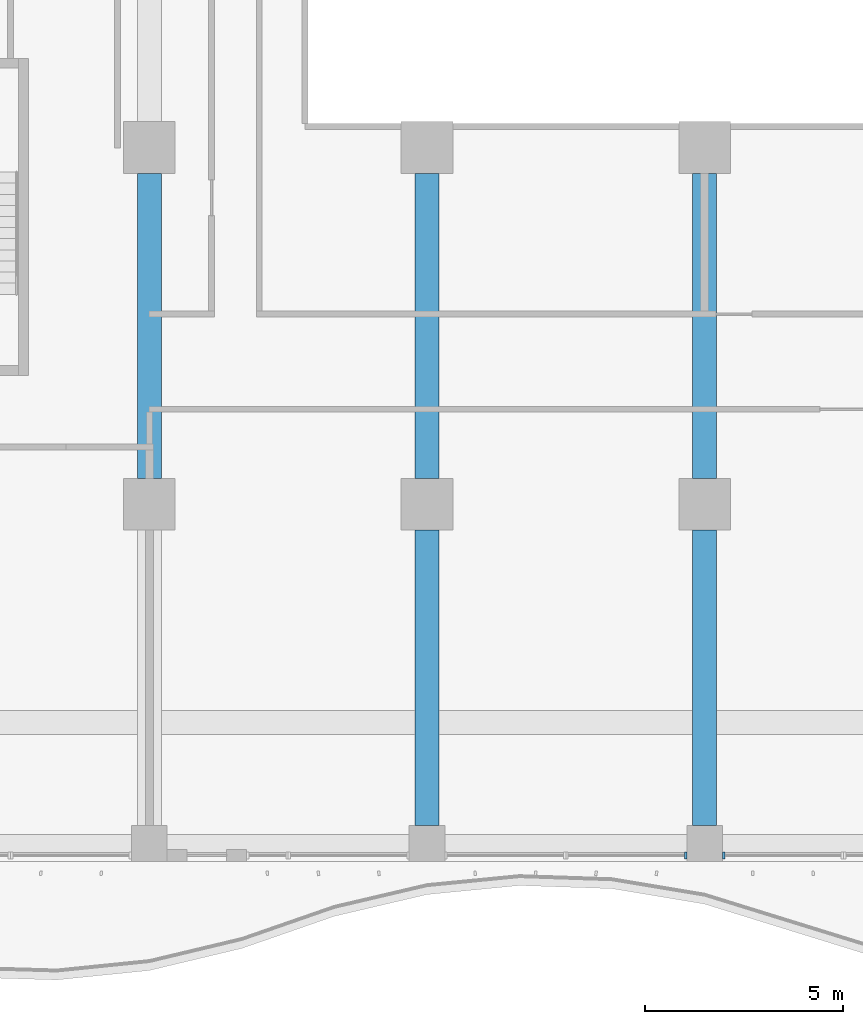
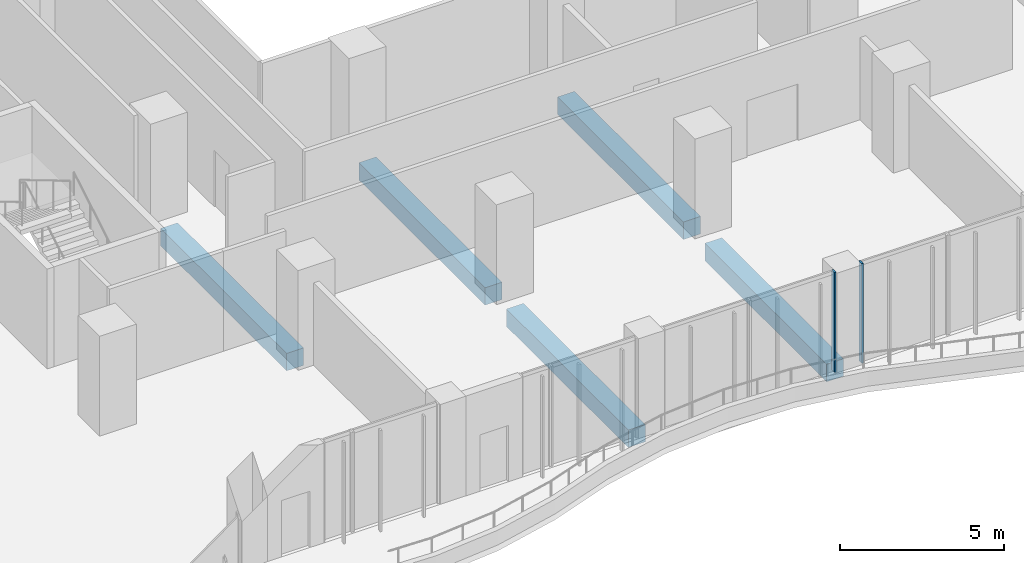
# One storey, part 4 of 27: 5 beams, 2 members, 2 elements without a shape of their own.
"""IFC4 building model written with IfcOpenShell, lengths in metres."""

from ifc_helpers import new_model, si_unit, direction, frame, origin, origin_2d, place, context, subcontext, project, spatial, rectangle, extrude, source, transform, mapped, material, material_profile, profile_set, type_object, element, aggregate, save


model = new_model("IFC4")

# Units and contexts
model_context = context("Model", 3, precision=1e-05, world=origin(), true_north=direction((0.0, 1.0)))
body_context = subcontext(model_context, "Body", "Model", "MODEL_VIEW")
ifc_project = project(units=[si_unit("LENGTHUNIT", "METRE"), si_unit("AREAUNIT", "SQUARE_METRE"), si_unit("VOLUMEUNIT", "CUBIC_METRE"), si_unit("PLANEANGLEUNIT", "RADIAN"), si_unit("MASSUNIT", "GRAM", prefix="KILO")], contexts=[model_context])

# Site, building, storey
site_placement = place(None, origin())
site = spatial("IfcSite", under=ifc_project, at=site_placement, CompositionType="ELEMENT")
building_placement = place(site_placement, origin())
building = spatial("IfcBuilding", under=site, at=building_placement, Name="Kilnfold Tower and Market Hall", CompositionType="ELEMENT")
storey_placement = place(building_placement, frame((0.0, 0.0, 43.0)))
storey = spatial("IfcBuildingStorey", under=building, at=storey_placement, Name="L09", CompositionType="ELEMENT", Elevation=43.0)

# Beams
ifc_material_1 = material(Name="Concrete C45", Category="concrete")
ifc_material_profile_1 = material_profile(ifc_material_1, rectangle(XDim=0.60009765625, YDim=0.64990234375, at=origin_2d()), Name="RC 600x650")
ifc_profile_set_1 = profile_set([ifc_material_profile_1], Name="Concrete C45")
beam_type = type_object("IfcBeamType", Name="BEAM 600X650 C45", PredefinedType="BEAM", material=ifc_profile_set_1)
shared_shape_1 = source(origin(), body_context, "Body", "SweptSolid", [
    extrude(rectangle(XDim=0.60009765625, YDim=0.64990234375, at=origin_2d()), origin(), (0.0, 0.0, 1.0), 7.4501953125),
])
for number, where, z_axis, x_axis, name in (
    (1, (-3.5, -27.10009765625, -0.60498046875), (0.0, 1.0, 0.0), (-1.0, 0.0, 0.0), "Beam BB650-B1.43"),
    (2, (3.5, -27.10009765625, -0.60498046875), (0.0, 1.0, 0.0), (-1.0, 0.0, 0.0), "Beam BB650-B1.45"),
):
    element("IfcBeam", number, at=place(storey_placement, frame(where, z_axis=z_axis, x_axis=x_axis)), inside=storey, type_object=beam_type, Name=name, PredefinedType="BEAM", context=body_context, shape_type="MappedRepresentation", body=[
        mapped(shared_shape_1, transform((0.0, 0.0, 0.0))),
    ])
shared_shape_2 = source(origin(), body_context, "Body", "SweptSolid", [
    extrude(rectangle(XDim=0.60009765625, YDim=0.64990234375, at=origin_2d()), origin(), (0.0, 0.0, 1.0), 7.7001953125),
])
for number, where, z_axis, x_axis, name in (
    (3, (-10.5, -18.35009765625, -0.60498046875), (0.0, 1.0, 0.0), (-1.0, 0.0, 0.0), "Beam BB650-B1.41"),
    (4, (-3.5, -18.35009765625, -0.60498046875), (0.0, 1.0, 0.0), (-1.0, 0.0, 0.0), "Beam BB650-B1.44"),
    (5, (3.5, -18.35009765625, -0.60498046875), (0.0, 1.0, 0.0), (-1.0, 0.0, 0.0), "Beam BB650-B1.46"),
):
    element("IfcBeam", number, at=place(storey_placement, frame(where, z_axis=z_axis, x_axis=x_axis)), inside=storey, type_object=beam_type, Name=name, PredefinedType="BEAM", context=body_context, shape_type="MappedRepresentation", body=[
        mapped(shared_shape_2, transform((0.0, 0.0, 0.0))),
    ])

# Curtain wall, member
ifc_material_2 = material(Name="Aluminium and double glazing", Category="aluminium")
curtain_wall_type = type_object("IfcCurtainWallType", Name="CW OF1 VALLEY GLAZING", PredefinedType="NOTDEFINED", material=ifc_material_2)
curtain_wall_1_placement = place(storey_placement, origin())
curtain_wall_1 = element("IfcCurtainWall", 6, at=curtain_wall_1_placement, inside=storey, type_object=curtain_wall_type, Name="Curtain wall CW1 L09 S", PredefinedType="NOTDEFINED")
ifc_material_3 = material(Name="Aluminium", Category="aluminium")
ifc_material_profile_2 = material_profile(ifc_material_3, rectangle(XDim=0.06005859375, YDim=0.179931640625, at=origin_2d()), Name="MULLION 60x180")
ifc_profile_set_2 = profile_set([ifc_material_profile_2], Name="Aluminium")
member_type = type_object("IfcMemberType", Name="MULLION 60X180", PredefinedType="MULLION", material=ifc_profile_set_2)
shared_shape_3 = source(origin(), body_context, "Body", "SweptSolid", [
    extrude(rectangle(XDim=0.06005859375, YDim=0.179931640625, at=origin_2d()), origin(), (0.0, 0.0, 1.0), 3.719970703125),
])
member_1_placement = place(storey_placement, frame((3.02001953125, -27.85009765625, 0.0), z_axis=(0.0, 0.0, 1.0), x_axis=(1.0, 0.0, 0.0)))
member_1 = element("IfcMember", 7, at=member_1_placement, type_object=member_type, Name="CW1 mullion 2", PredefinedType="MULLION", context=body_context, shape_type="MappedRepresentation", body=[
    mapped(shared_shape_3, transform((0.0, 0.0, 0.0))),
])
aggregate(curtain_wall_1, [member_1])

curtain_wall_2_placement = place(storey_placement, origin())
curtain_wall_2 = element("IfcCurtainWall", 8, at=curtain_wall_2_placement, inside=storey, type_object=curtain_wall_type, Name="Curtain wall CW1 L09 S", PredefinedType="NOTDEFINED")
member_2_placement = place(storey_placement, frame((3.97998046875, -27.85009765625, 0.0), z_axis=(0.0, 0.0, 1.0), x_axis=(1.0, 0.0, 0.0)))
member_2 = element("IfcMember", 9, at=member_2_placement, type_object=member_type, Name="CW1 mullion 1", PredefinedType="MULLION", context=body_context, shape_type="MappedRepresentation", body=[
    mapped(shared_shape_3, transform((0.0, 0.0, 0.0))),
])
aggregate(curtain_wall_2, [member_2])

save(model, "model.ifc")
